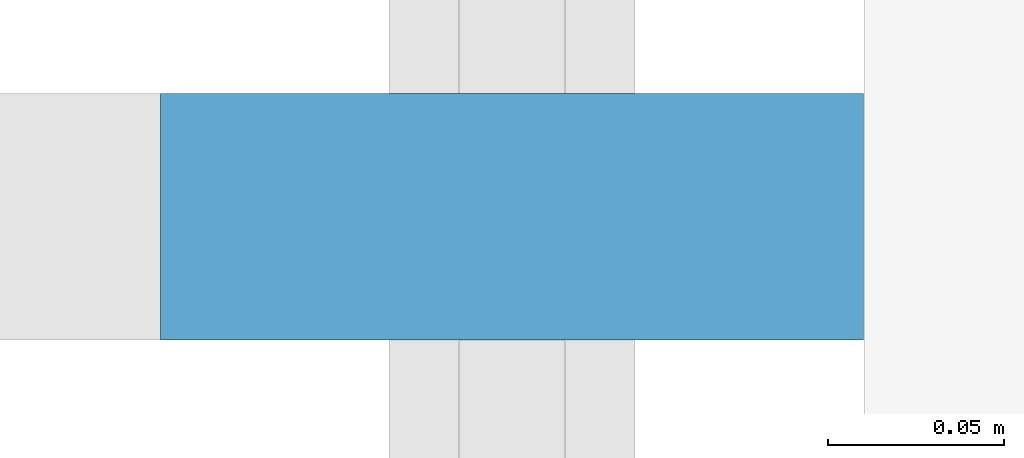
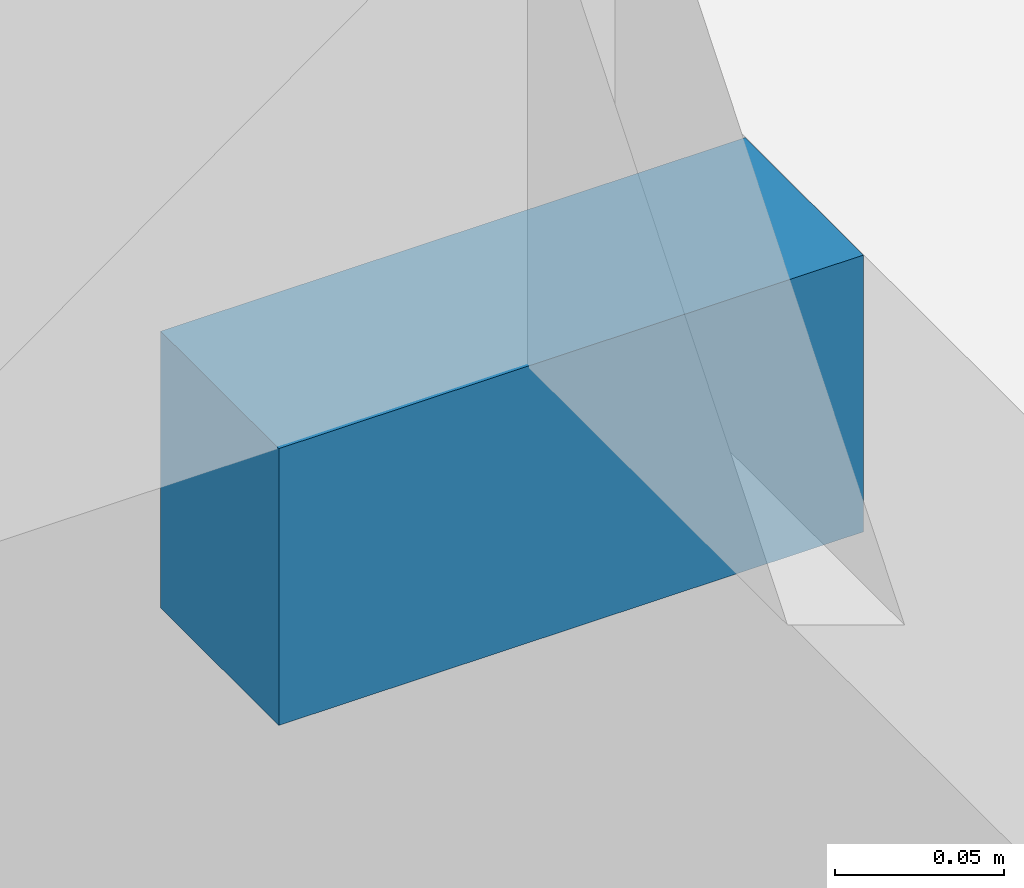
# One storey, part 12 of 16: 1 discrete accessory.
"""IFC4 building model written with IfcOpenShell, lengths in metres."""

import ifcopenshell
import ifcopenshell.guid

model = None  # the IFC model being written
_history = None  # IfcOwnerHistory: only IFC2X3 demands one
_inside = {}  # id of a spatial element -> (the spatial element, [elements in it])
_under = {}  # id of a project, library or spatial element -> (it, [spatial elements below it])
_declared = {}  # id of a project -> (the project, [libraries it declares])
_typed = {}  # id of a type object -> (the type object, [elements of that type])
_made_of = {}  # id of a material, layer set ... -> (it, [elements and type objects made of it])


def new_model(schema):
    """Start an empty IFC model of exactly this schema.

    Asked for "IFC4X3", IfcOpenShell would pick the latest addendum, in which some entities
    have other attributes; the version numbers below select the first issue.
    IFC2X3 requires an IfcOwnerHistory on every rooted entity: one is made here for all.
    """
    global model, _history
    if schema == "IFC4X3":
        model = ifcopenshell.file(schema_version=(4, 3, 0, 0))
    else:
        model = ifcopenshell.file(schema=schema)
    _inside.clear()
    _under.clear()
    _declared.clear()
    _typed.clear()
    _made_of.clear()
    _history = None
    if model.schema == "IFC2X3":
        org = make("IfcOrganization", Name="unknown")
        user = make(
            "IfcPersonAndOrganization",
            ThePerson=make("IfcPerson", FamilyName="unknown"),
            TheOrganization=org,
        )
        app = make(
            "IfcApplication",
            ApplicationDeveloper=org,
            Version="unknown",
            ApplicationFullName="unknown",
            ApplicationIdentifier="unknown",
        )
        _history = make(
            "IfcOwnerHistory",
            OwningUser=user,
            OwningApplication=app,
            ChangeAction="ADDED",
            CreationDate=0,
        )
    return model


def make(cls, **values):
    """One entity of the class cls with the attributes given. An attribute that is None is left unset."""
    return model.create_entity(
        cls, **{name: value for name, value in values.items() if value is not None}
    )


def rooted(cls, **values):
    """An entity with a GlobalId (a new one), such as an element, a storey or a relation."""
    return make(cls, GlobalId=ifcopenshell.guid.new(), OwnerHistory=_history, **values)


def si_unit(unit_type, name, prefix=None):
    """IfcSIUnit, for example si_unit("LENGTHUNIT", "METRE", prefix="MILLI")."""
    return make("IfcSIUnit", UnitType=unit_type, Prefix=prefix, Name=name)


def assignment(units):
    """IfcUnitAssignment: the units of a project."""
    return None if units is None else make("IfcUnitAssignment", Units=units)


def point(xyz):
    """IfcCartesianPoint."""
    return None if xyz is None else make("IfcCartesianPoint", Coordinates=xyz)


def direction(xyz):
    """IfcDirection."""
    return None if xyz is None else make("IfcDirection", DirectionRatios=xyz)


def frame(location, z_axis=None, x_axis=None):
    """IfcAxis2Placement3D, a coordinate frame: its origin and axes. An axis left out is left unset."""
    return make(
        "IfcAxis2Placement3D",
        Location=point(location),
        Axis=direction(z_axis),
        RefDirection=direction(x_axis),
    )


def frame_2d(location, x_axis=None):
    """IfcAxis2Placement2D, a coordinate frame in the plane: its origin and x axis."""
    return make(
        "IfcAxis2Placement2D", Location=point(location), RefDirection=direction(x_axis)
    )


def origin():
    """The frame at (0, 0, 0) with its axes left unset."""
    return frame((0.0, 0.0, 0.0))


def origin_2d():
    """The frame at (0, 0) in the plane with its x axis left unset."""
    return frame_2d((0.0, 0.0))


def place(relative_to, where):
    """IfcLocalPlacement: puts the frame where relative to a parent placement (None: the world)."""
    return make(
        "IfcLocalPlacement", PlacementRelTo=relative_to, RelativePlacement=where
    )


def context(
    kind, dimensions, precision=None, world=None, true_north=None, identifier=None
):
    """IfcGeometricRepresentationContext, for example the 3D "Model" context."""
    return make(
        "IfcGeometricRepresentationContext",
        ContextIdentifier=identifier,
        ContextType=kind,
        CoordinateSpaceDimension=dimensions,
        Precision=precision,
        WorldCoordinateSystem=world,
        TrueNorth=true_north,
    )


def subcontext(parent, identifier, kind, view, scale=None):
    """IfcGeometricRepresentationSubContext, for example "Body" below "Model"."""
    return make(
        "IfcGeometricRepresentationSubContext",
        ContextIdentifier=identifier,
        ContextType=kind,
        ParentContext=parent,
        TargetScale=scale,
        TargetView=view,
    )


def project(units=None, contexts=None):
    """IfcProject with its units and contexts."""
    return rooted(
        "IfcProject",
        Name="project",
        RepresentationContexts=contexts,
        UnitsInContext=assignment(units),
    )


def spatial(cls, under=None, at=None, **own):
    """A site, building, storey or space (cls), placed at a placement, below another one or the project."""
    s = rooted(cls, ObjectPlacement=at, **own)
    if under is not None:
        _under.setdefault(under.id(), (under, []))[1].append(s)
    return s


def profile(cls, at=None, kind="AREA", **sizes):
    """A parametric profile (cls). Its sizes go by their IFC names, for example OverallWidth=200.0."""
    return make(cls, ProfileType=kind, Position=at, **sizes)


def rectangle(**sizes):
    """IfcRectangleProfileDef."""
    return profile("IfcRectangleProfileDef", **sizes)


def extrude(swept, where, along, depth):
    """IfcExtrudedAreaSolid: the profile swept, set in the frame where, extruded along a direction by depth."""
    return make(
        "IfcExtrudedAreaSolid",
        SweptArea=swept,
        Position=where,
        ExtrudedDirection=direction(along),
        Depth=depth,
    )


def shape(context_of_items, identifier, shape_type, items):
    """IfcShapeRepresentation: the items that make up one representation, for example the "Body"."""
    return make(
        "IfcShapeRepresentation",
        ContextOfItems=context_of_items,
        RepresentationIdentifier=identifier,
        RepresentationType=shape_type,
        Items=items,
    )


def made_of(thing, what):
    """Note that an element or type object is made of a material, layer set ...; save() writes the relation."""
    if what is not None:
        _made_of.setdefault(what.id(), (what, []))[1].append(thing)
    return thing


def element(
    cls,
    number,
    at=None,
    inside=None,
    cuts=None,
    type_object=None,
    material=None,
    context=None,
    identifier="Body",
    shape_type=None,
    held_by="IfcProductDefinitionShape",
    body=None,
    shapes=None,
    **own,
):
    """One element of the class cls, such as IfcWall. Its Tag is "e" and its number.

    at: its placement. inside: the storey or other place that contains it. cuts: it is an
    opening in that element (IfcRelVoidsElement). A single representation is given by context,
    identifier, shape_type and body (its items); several are given by shapes. held_by: the class
    of the entity that holds the representations. save() writes the other relations.
    """
    e = rooted(cls, Tag="e%d" % number, ObjectPlacement=at, **own)
    if body is not None:
        shapes = [shape(context, identifier, shape_type, body)]
    if shapes is not None:
        e.Representation = make(held_by, Representations=shapes)
    if inside is not None:
        _inside.setdefault(inside.id(), (inside, []))[1].append(e)
    if cuts is not None:
        rooted(
            "IfcRelVoidsElement", RelatingBuildingElement=cuts, RelatedOpeningElement=e
        )
    if type_object is not None:
        _typed.setdefault(type_object.id(), (type_object, []))[1].append(e)
    return made_of(e, material)


def aggregate(whole, parts):
    """IfcRelAggregates: a whole, such as a stair, and the parts it consists of."""
    return rooted("IfcRelAggregates", RelatingObject=whole, RelatedObjects=parts)


def save(model, path):
    """Write the relations noted so far, then the file.

    IfcRelAggregates (storeys below a building ...), IfcRelContainedInSpatialStructure (elements
    in a storey), IfcRelDefinesByType, IfcRelAssociatesMaterial and IfcRelDeclares: one each for
    every whole, place, type object, material and project.
    """
    for whole, parts in _under.values():
        aggregate(whole, parts)
    for where, things in _inside.values():
        rooted(
            "IfcRelContainedInSpatialStructure",
            RelatedElements=things,
            RelatingStructure=where,
        )
    for kind, things in _typed.values():
        rooted("IfcRelDefinesByType", RelatedObjects=things, RelatingType=kind)
    for what, things in _made_of.values():
        rooted("IfcRelAssociatesMaterial", RelatedObjects=things, RelatingMaterial=what)
    for by, libraries in _declared.values():
        rooted("IfcRelDeclares", RelatingContext=by, RelatedDefinitions=libraries)
    model.write(path)


model = new_model("IFC4")

# Units and contexts
model_context = context("Model", 3, precision=1e-05, world=origin(), true_north=direction((0.0, 1.0)))
body_context = subcontext(model_context, "Body", "Model", "MODEL_VIEW")
ifc_project = project(units=[si_unit("LENGTHUNIT", "METRE"), si_unit("AREAUNIT", "SQUARE_METRE"), si_unit("VOLUMEUNIT", "CUBIC_METRE"), si_unit("PLANEANGLEUNIT", "RADIAN"), si_unit("MASSUNIT", "GRAM", prefix="KILO")], contexts=[model_context])

# Site, building, storey
site_placement = place(None, origin())
site = spatial("IfcSite", under=ifc_project, at=site_placement, CompositionType="ELEMENT")
building_placement = place(site_placement, origin())
building = spatial("IfcBuilding", under=site, at=building_placement, Name="Daluyong Arena Tower", CompositionType="ELEMENT")
storey_placement = place(building_placement, frame((0.0, 0.0, 189.699951171875)))
storey = spatial("IfcBuildingStorey", under=building, at=storey_placement, Name="L42", CompositionType="ELEMENT", Elevation=189.699951171875)

# Discrete accessory
discrete_accessory_placement = place(storey_placement, frame((34.25, 87.386474609375, -0.10009765625), z_axis=(0.0, 0.0, 1.0), x_axis=(0.0, -1.0, 0.0)))
element("IfcDiscreteAccessory", 1, at=discrete_accessory_placement, inside=storey, Name="curtain wall L42 W anchor bracket 4", PredefinedType="BRACKET", context=body_context, shape_type="SweptSolid", body=[
    extrude(rectangle(XDim=0.070068359375, YDim=0.199951171875, at=origin_2d()), origin(), (0.0, 0.0, 1.0), 0.10009765625),
])

save(model, "model.ifc")
